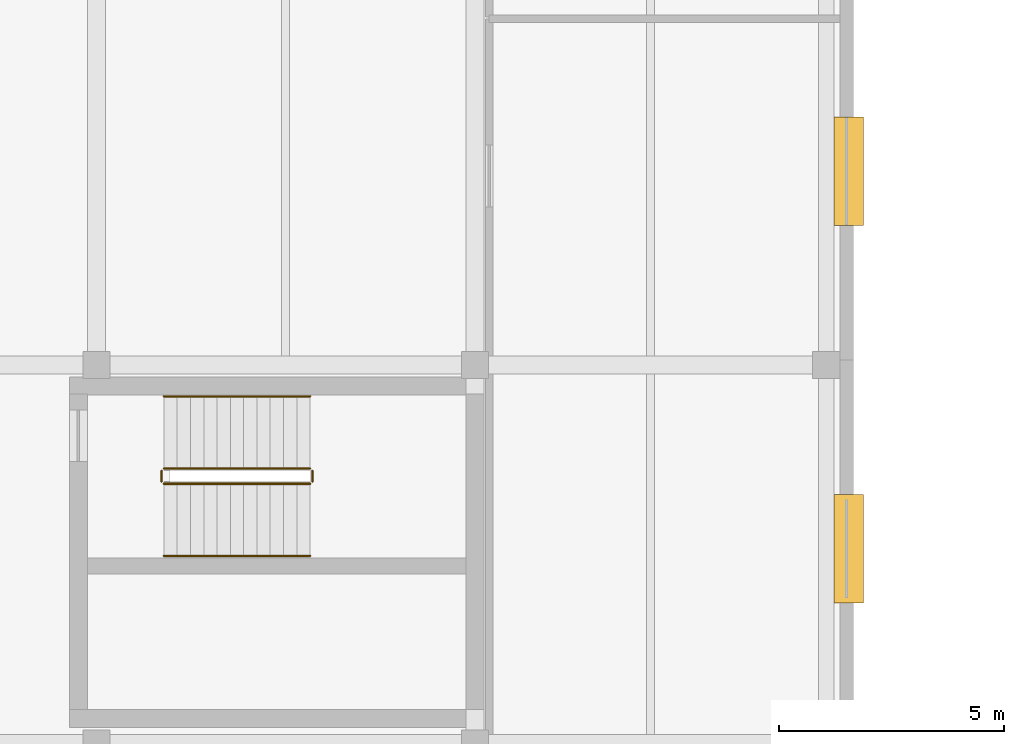
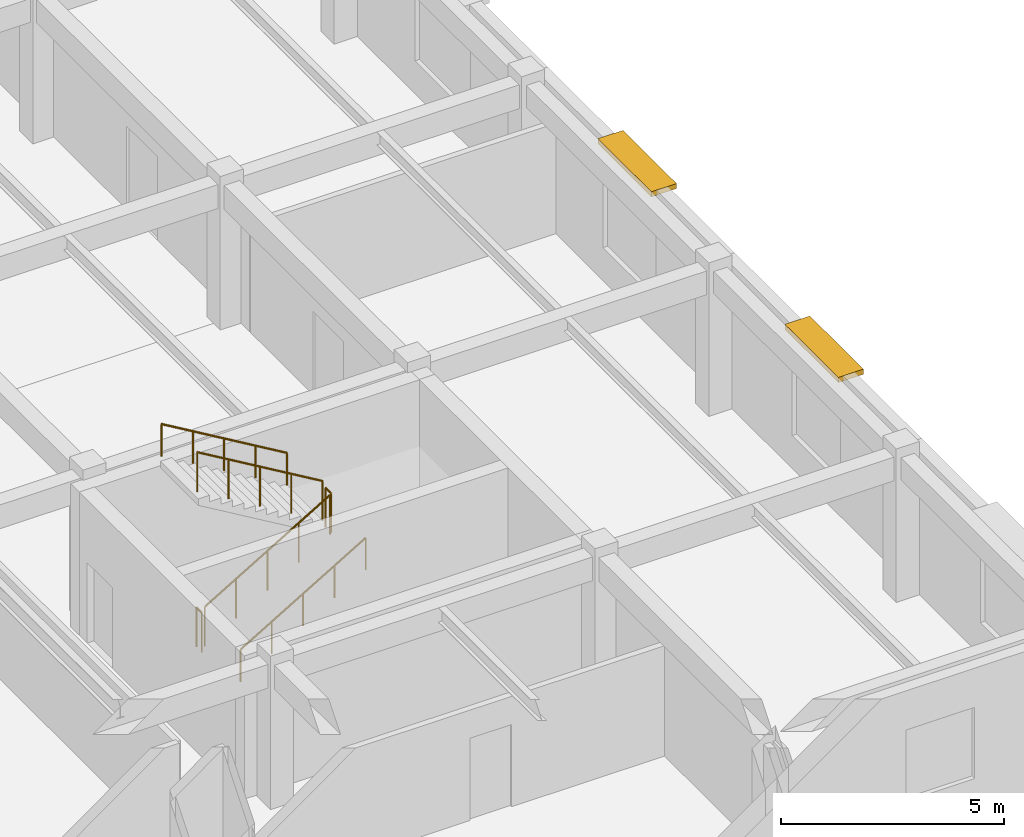
# One storey, part 120 of 123: 6 railings, 2 shading devices.
"""IFC4 building model written with IfcOpenShell, lengths in metres."""

from ifc_helpers import new_model, si_unit, direction, frame, origin, origin_2d, place, context, subcontext, project, spatial, rectangle, circle, extrude, material, type_object, element, save


model = new_model("IFC4")

# Units and contexts
model_context = context("Model", 3, precision=1e-05, world=origin(), true_north=direction((0.0, 1.0)))
body_context = subcontext(model_context, "Body", "Model", "MODEL_VIEW")
ifc_project = project(units=[si_unit("LENGTHUNIT", "METRE"), si_unit("AREAUNIT", "SQUARE_METRE"), si_unit("VOLUMEUNIT", "CUBIC_METRE"), si_unit("PLANEANGLEUNIT", "RADIAN"), si_unit("MASSUNIT", "GRAM", prefix="KILO")], contexts=[model_context])

# Site, building, storey
site_placement = place(None, origin())
site = spatial("IfcSite", under=ifc_project, at=site_placement, CompositionType="ELEMENT")
building_placement = place(site_placement, origin())
building = spatial("IfcBuilding", under=site, at=building_placement, Name="Zayran Congress Hotel", CompositionType="ELEMENT")
storey_placement = place(building_placement, frame((0.0, 0.0, 15.0)))
storey = spatial("IfcBuildingStorey", under=building, at=storey_placement, Name="L03", CompositionType="ELEMENT", Elevation=15.0)

# Shading devices
ifc_material_1 = material(Name="Precast concrete C40/50", Category="concrete")
shading_device_type = type_object("IfcShadingDeviceType", Name="TP-SHD-01", PredefinedType="JALOUSIE", material=ifc_material_1)
for number, where, z_axis, x_axis, name in (
    (1, (134.300048828125, 55.117919921875, 3.7802734375), (0.0, 0.0, 1.0), (0.0, 1.0, 0.0), "Precast Brise Soleil Louvre 18"),
    (2, (134.300048828125, 63.4970703125, 3.7802734375), (0.0, 0.0, 1.0), (0.0, 1.0, 0.0), "Precast Brise Soleil Louvre 19"),
):
    element("IfcShadingDevice", number, at=place(storey_placement, frame(where, z_axis=z_axis, x_axis=x_axis)), inside=storey, type_object=shading_device_type, Name=name, PredefinedType="JALOUSIE", context=body_context, shape_type="SweptSolid", body=[
        extrude(rectangle(XDim=2.39990234375, YDim=0.64990234375, at=origin_2d()), origin(), (0.0, 0.0, 1.0), 0.139892578125),
    ])

# Railings
ifc_material_2 = material(Name="Painted steel balustrade", Category="steel")
railing_type_1 = type_object("IfcRailingType", Name="TP-GRD-INT", PredefinedType="GUARDRAIL", material=ifc_material_2)
railing_1_placement = place(storey_placement, frame((119.10009765625, 56.56005859375, 0.175048828125)))
element("IfcRailing", 3, at=railing_1_placement, inside=storey, type_object=railing_type_1, Name="L03 ST-08 stair guard 1", PredefinedType="GUARDRAIL", context=body_context, shape_type="SweptSolid", body=[
    extrude(circle(Radius=0.02392578125, at=origin_2d()), frame((0.0, 0.0, 1.076171875), z_axis=(0.860040215814, 0.0, 0.510226250974), x_axis=(0.0, 1.0, 0.0)), (0.0, 0.0, 1.0), 3.77294921875),
    extrude(circle(Radius=0.02099609375, at=origin_2d()), origin(), (0.0, 0.0, 1.0), 1.052001953125),
    extrude(circle(Radius=0.02099609375, at=origin_2d()), frame((0.811279296875, 0.0, 0.481201171875)), (0.0, 0.0, 1.0), 1.052001953125),
    extrude(circle(Radius=0.02099609375, at=origin_2d()), frame((1.62255859375, 0.0, 0.96240234375)), (0.0, 0.0, 1.0), 1.052001953125),
    extrude(circle(Radius=0.02099609375, at=origin_2d()), frame((2.43359375, 0.0, 1.44384765625)), (0.0, 0.0, 1.0), 1.052001953125),
    extrude(circle(Radius=0.02099609375, at=origin_2d()), frame((3.244873046875, 0.0, 1.925048828125)), (0.0, 0.0, 1.0), 1.052001953125),
])
railing_2_placement = place(storey_placement, frame((122.39501953125, 56.610107421875, 2.10009765625)))
element("IfcRailing", 4, at=railing_2_placement, inside=storey, type_object=railing_type_1, Name="L03 ST-08 stair guard 2", PredefinedType="GUARDRAIL", context=body_context, shape_type="SweptSolid", body=[
    extrude(circle(Radius=0.02392578125, at=origin_2d()), frame((0.0, 0.0, 1.076171875), z_axis=(0.0, 1.0, 0.0), x_axis=(-1.0, 0.0, 0.0)), (0.0, 0.0, 1.0), 0.239990234375),
    extrude(circle(Radius=0.02099609375, at=origin_2d()), origin(), (0.0, 0.0, 1.0), 1.052001953125),
    extrude(circle(Radius=0.02099609375, at=origin_2d()), frame((0.0, 0.239990234375, 0.0)), (0.0, 0.0, 1.0), 1.052001953125),
])
railing_3_placement = place(storey_placement, frame((122.344970703125, 56.89990234375, 2.27490234375)))
element("IfcRailing", 5, at=railing_3_placement, inside=storey, type_object=railing_type_1, Name="L03 ST-08 stair guard 3", PredefinedType="GUARDRAIL", context=body_context, shape_type="SweptSolid", body=[
    extrude(circle(Radius=0.02392578125, at=origin_2d()), frame((0.0, 0.0, 1.076171875), z_axis=(-0.860040215814, 0.0, 0.510226250974), x_axis=(0.0, -1.0, 0.0)), (0.0, 0.0, 1.0), 3.77294921875),
    extrude(circle(Radius=0.02099609375, at=origin_2d()), origin(), (0.0, 0.0, 1.0), 1.052001953125),
    extrude(circle(Radius=0.02099609375, at=origin_2d()), frame((-0.811279296875, 0.0, 0.481201171875)), (0.0, 0.0, 1.0), 1.052001953125),
    extrude(circle(Radius=0.02099609375, at=origin_2d()), frame((-1.62255859375, 0.0, 0.96240234375)), (0.0, 0.0, 1.0), 1.052001953125),
    extrude(circle(Radius=0.02099609375, at=origin_2d()), frame((-2.43359375, 0.0, 1.44384765625)), (0.0, 0.0, 1.0), 1.052001953125),
    extrude(circle(Radius=0.02099609375, at=origin_2d()), frame((-3.244873046875, 0.0, 1.925048828125)), (0.0, 0.0, 1.0), 1.052001953125),
])
railing_4_placement = place(storey_placement, frame((119.050048828125, 56.610107421875, 0.0)))
element("IfcRailing", 6, at=railing_4_placement, inside=storey, type_object=railing_type_1, Name="L03 ST-08 stair guard 4", PredefinedType="GUARDRAIL", context=body_context, shape_type="SweptSolid", body=[
    extrude(circle(Radius=0.02392578125, at=origin_2d()), frame((0.0, 0.0, 1.076171875), z_axis=(0.0, 1.0, 0.0), x_axis=(-1.0, 0.0, 0.0)), (0.0, 0.0, 1.0), 0.239990234375),
    extrude(circle(Radius=0.02099609375, at=origin_2d()), origin(), (0.0, 0.0, 1.0), 1.052001953125),
    extrude(circle(Radius=0.02099609375, at=origin_2d()), frame((0.0, 0.239990234375, 0.0)), (0.0, 0.0, 1.0), 1.052001953125),
])
ifc_material_3 = material(Name="Brushed stainless steel handrail", Category="steel")
railing_type_2 = type_object("IfcRailingType", Name="TP-HND-STR", PredefinedType="HANDRAIL", material=ifc_material_3)
railing_5_placement = place(storey_placement, frame((119.10009765625, 54.9599609375, 0.175048828125)))
element("IfcRailing", 7, at=railing_5_placement, inside=storey, type_object=railing_type_2, Name="L03 ST-08 stair handrail 1", PredefinedType="HANDRAIL", context=body_context, shape_type="SweptSolid", body=[
    extrude(circle(Radius=0.02392578125, at=origin_2d()), frame((0.0, 0.0, 0.8759765625), z_axis=(0.860040215814, 0.0, 0.510226250974), x_axis=(0.0, 1.0, 0.0)), (0.0, 0.0, 1.0), 3.77294921875),
    extrude(circle(Radius=0.02099609375, at=origin_2d()), origin(), (0.0, 0.0, 1.0), 0.851806640625),
    extrude(circle(Radius=0.02099609375, at=origin_2d()), frame((0.811279296875, 0.0, 0.481201171875)), (0.0, 0.0, 1.0), 0.851806640625),
    extrude(circle(Radius=0.02099609375, at=origin_2d()), frame((1.62255859375, 0.0, 0.96240234375)), (0.0, 0.0, 1.0), 0.851806640625),
    extrude(circle(Radius=0.02099609375, at=origin_2d()), frame((2.43359375, 0.0, 1.44384765625)), (0.0, 0.0, 1.0), 0.851806640625),
    extrude(circle(Radius=0.02099609375, at=origin_2d()), frame((3.244873046875, 0.0, 1.925048828125)), (0.0, 0.0, 1.0), 0.851806640625),
])
railing_6_placement = place(storey_placement, frame((122.344970703125, 58.5, 2.27490234375)))
element("IfcRailing", 8, at=railing_6_placement, inside=storey, type_object=railing_type_2, Name="L03 ST-08 stair handrail 2", PredefinedType="HANDRAIL", context=body_context, shape_type="SweptSolid", body=[
    extrude(circle(Radius=0.02392578125, at=origin_2d()), frame((0.0, 0.0, 0.8759765625), z_axis=(-0.860040215814, 0.0, 0.510226250974), x_axis=(0.0, -1.0, 0.0)), (0.0, 0.0, 1.0), 3.77294921875),
    extrude(circle(Radius=0.02099609375, at=origin_2d()), origin(), (0.0, 0.0, 1.0), 0.851806640625),
    extrude(circle(Radius=0.02099609375, at=origin_2d()), frame((-0.811279296875, 0.0, 0.481201171875)), (0.0, 0.0, 1.0), 0.851806640625),
    extrude(circle(Radius=0.02099609375, at=origin_2d()), frame((-1.62255859375, 0.0, 0.96240234375)), (0.0, 0.0, 1.0), 0.851806640625),
    extrude(circle(Radius=0.02099609375, at=origin_2d()), frame((-2.43359375, 0.0, 1.44384765625)), (0.0, 0.0, 1.0), 0.851806640625),
    extrude(circle(Radius=0.02099609375, at=origin_2d()), frame((-3.244873046875, 0.0, 1.925048828125)), (0.0, 0.0, 1.0), 0.851806640625),
])

save(model, "model.ifc")
